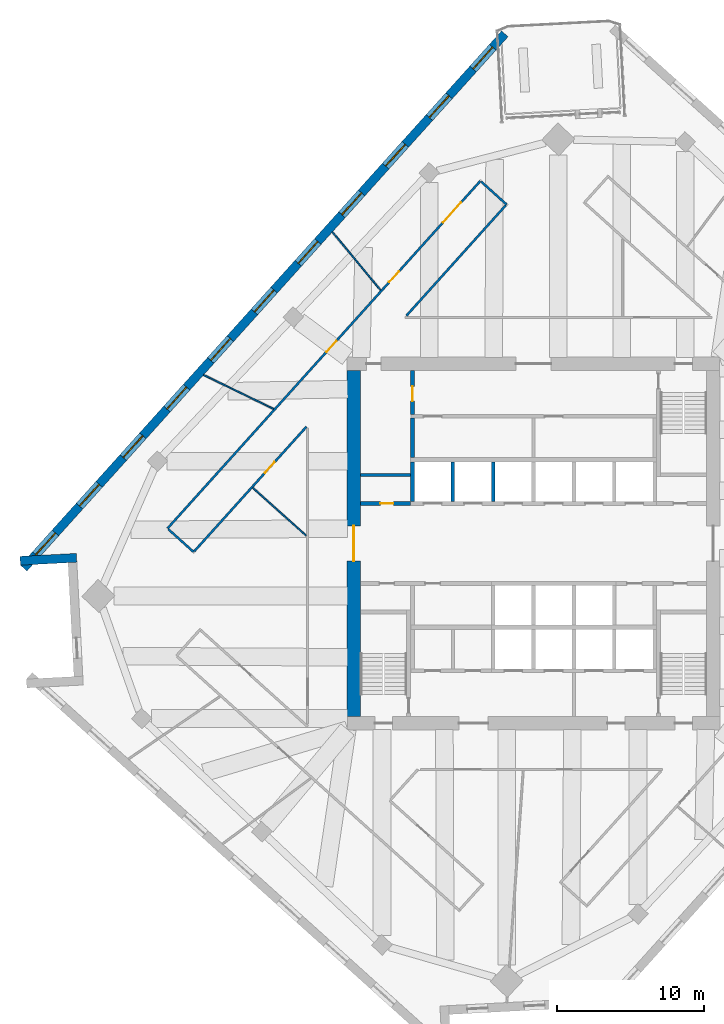
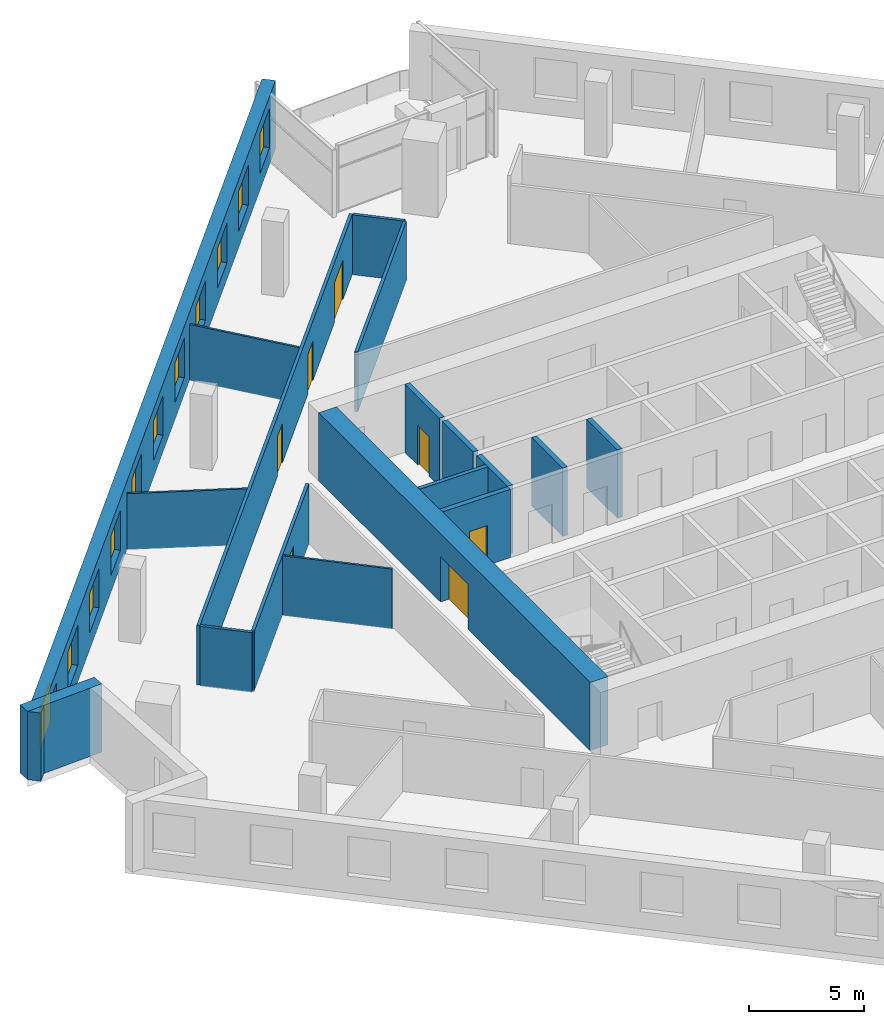
# One storey, part 8 of 12: 18 walls, 11 windows, 7 doors, 18 openings.
"""IFC4 building model written with IfcOpenShell, lengths in metres."""

from ifc_helpers import new_model, si_unit, direction, frame, frame_2d, origin, place, context, subcontext, project, spatial, rectangle, extrude, material, layer, layer_set, type_object, element, fill, save


model = new_model("IFC4")

# Units and contexts
model_context = context("Model", 3, precision=1e-05, world=origin(), true_north=direction((0.0, 1.0)))
body_context = subcontext(model_context, "Body", "Model", "MODEL_VIEW")
ifc_project = project(units=[si_unit("LENGTHUNIT", "METRE"), si_unit("AREAUNIT", "SQUARE_METRE"), si_unit("VOLUMEUNIT", "CUBIC_METRE"), si_unit("PLANEANGLEUNIT", "RADIAN"), si_unit("MASSUNIT", "GRAM", prefix="KILO")], contexts=[model_context])

# Site, building, storey
site_placement = place(None, origin())
site = spatial("IfcSite", under=ifc_project, at=site_placement, CompositionType="ELEMENT")
building_placement = place(site_placement, origin())
building = spatial("IfcBuilding", under=site, at=building_placement, Name="Dilmun Exchange Tower", CompositionType="ELEMENT")
storey_placement = place(building_placement, frame((0.0, 0.0, 221.300048828125)))
storey = spatial("IfcBuildingStorey", under=building, at=storey_placement, Name="L52", CompositionType="ELEMENT", Elevation=221.300048828125)

# Wall
ifc_material_1 = material(Name="Concrete C40/50", Category="concrete")
ifc_layer_1 = layer(ifc_material_1, 0.199951171875)
ifc_layer_set_1 = layer_set([ifc_layer_1], Name="Concrete C40/50")
wall_type_1 = type_object("IfcWallType", Name="Core partition wall 200", PredefinedType="PARTITIONING", material=ifc_layer_set_1)
wall_1_placement = place(storey_placement, frame((-11.794921875, 4.675048828125, 0.0), z_axis=(0.0, 0.0, 1.0), x_axis=(1.0, 0.0, 0.0)))
element("IfcWall", 1, at=wall_1_placement, inside=storey, type_object=wall_type_1, Name="L52 core partition wall 12", PredefinedType="PARTITIONING", context=body_context, shape_type="SweptSolid", body=[
    extrude(rectangle(XDim=3.4150390625, YDim=0.199951171875, at=frame_2d((1.70751953125, 0.0))), origin(), (0.0, 0.0, 1.0), 3.619873046875),
])

# Wall, opening, door
ifc_layer_2 = layer(ifc_material_1, 0.25)
ifc_layer_set_2 = layer_set([ifc_layer_2], Name="Concrete C40/50")
wall_type_2 = type_object("IfcWallType", Name="Core partition wall 250", PredefinedType="PARTITIONING", material=ifc_layer_set_2)
wall_2_placement = place(storey_placement, frame((-11.794921875, 2.72509765625, 0.0), z_axis=(0.0, 0.0, 1.0), x_axis=(1.0, 0.0, 0.0)))
wall_2 = element("IfcWall", 2, at=wall_2_placement, inside=storey, type_object=wall_type_2, Name="L52 core partition wall 10", PredefinedType="PARTITIONING", context=body_context, shape_type="SweptSolid", body=[
    extrude(rectangle(XDim=3.4150390625, YDim=0.25, at=frame_2d((1.70751953125, 0.0))), origin(), (0.0, 0.0, 1.0), 3.619873046875),
])
opening_1_placement = place(wall_2_placement, frame((1.344970703125, 0.0, 0.0)))
opening_1 = element("IfcOpeningElement", 3, at=opening_1_placement, cuts=wall_2, Name="Opening CD6", PredefinedType="OPENING", context=body_context, shape_type="SweptSolid", body=[
    extrude(rectangle(XDim=0.89990234375, YDim=2.10009765625, at=frame_2d((0.449951171875, 1.050048828125))), frame((0.0, 0.135009765625, 0.0), z_axis=(0.0, -1.0, 0.0), x_axis=(1.0, 0.0, 0.0)), (0.0, 0.0, 1.0), 0.27001953125),
])
ifc_material_2 = material(Name="Fire-rated steel door set", Category="steel")
door_type_1 = type_object("IfcDoorType", Name="Core room door 900x2100", OperationType="SINGLE_SWING_LEFT", PredefinedType="DOOR", material=ifc_material_2)
door_1_placement = place(opening_1_placement, origin())
door_1 = element("IfcDoor", 4, at=door_1_placement, inside=storey, type_object=door_type_1, Name="L52 door Plumbing riser", OperationType="SINGLE_SWING_LEFT", OverallHeight=2.10009765625, OverallWidth=0.89990234375, PredefinedType="DOOR", context=body_context, shape_type="SweptSolid", body=[
    extrude(rectangle(XDim=0.89990234375, YDim=2.10009765625, at=frame_2d((0.449951171875, 1.050048828125))), frame((0.0, 0.02490234375, 0.0), z_axis=(0.0, -1.0, 0.0), x_axis=(1.0, 0.0, 0.0)), (0.0, 0.0, 1.0), 0.050048828125),
])
fill(opening_1, door_1)

# Wall
wall_3_placement = place(storey_placement, frame((-8.25, 5.85498046875, 0.0), z_axis=(0.0, 0.0, 1.0), x_axis=(0.0, 1.0, 0.0)))
element("IfcWall", 5, at=wall_3_placement, inside=storey, type_object=wall_type_2, Name="L52 core partition wall 13", PredefinedType="PARTITIONING", context=body_context, shape_type="SweptSolid", body=[
    extrude(rectangle(XDim=2.68994140625, YDim=0.25, at=frame_2d((1.344970703125, 0.0))), origin(), (0.0, 0.0, 1.0), 3.619873046875),
])

# Wall, opening, door
wall_4_placement = place(storey_placement, frame((-8.25, 8.804931640625, 0.0), z_axis=(0.0, 0.0, 1.0), x_axis=(0.0, 1.0, 0.0)))
wall_4 = element("IfcWall", 6, at=wall_4_placement, inside=storey, type_object=wall_type_2, Name="L52 core partition wall 17", PredefinedType="PARTITIONING", context=body_context, shape_type="SweptSolid", body=[
    extrude(rectangle(XDim=2.989990234375, YDim=0.25, at=frame_2d((1.4951171875, 0.0))), origin(), (0.0, 0.0, 1.0), 3.619873046875),
])
opening_2_placement = place(wall_4_placement, frame((0.89501953125, 0.0, 0.0)))
opening_2 = element("IfcOpeningElement", 7, at=opening_2_placement, cuts=wall_4, Name="Opening CD4", PredefinedType="OPENING", context=body_context, shape_type="SweptSolid", body=[
    extrude(rectangle(XDim=1.0, YDim=2.10009765625, at=frame_2d((0.5, 1.050048828125))), frame((0.0, 0.135009765625, 0.0), z_axis=(0.0, -1.0, 0.0), x_axis=(1.0, 0.0, 0.0)), (0.0, 0.0, 1.0), 0.27001953125),
])
door_type_2 = type_object("IfcDoorType", Name="Core room door 1000x2100", OperationType="SINGLE_SWING_LEFT", PredefinedType="DOOR", material=ifc_material_2)
door_2_placement = place(opening_2_placement, origin())
door_2 = element("IfcDoor", 8, at=door_2_placement, inside=storey, type_object=door_type_2, Name="L52 door Building services room", OperationType="SINGLE_SWING_LEFT", OverallHeight=2.10009765625, OverallWidth=1.0, PredefinedType="DOOR", context=body_context, shape_type="SweptSolid", body=[
    extrude(rectangle(XDim=1.0, YDim=2.10009765625, at=frame_2d((0.5, 1.050048828125))), frame((0.0, 0.02490234375, 0.0), z_axis=(0.0, -1.0, 0.0), x_axis=(1.0, 0.0, 0.0)), (0.0, 0.0, 1.0), 0.050048828125),
])
fill(opening_2, door_2)

ifc_material_3 = material(Name="Concrete C60/75", Category="concrete")
ifc_layer_3 = layer(ifc_material_3, 0.89990234375)
ifc_layer_set_3 = layer_set([ifc_layer_3], Name="Concrete C60/75")
wall_type_3 = type_object("IfcWallType", Name="Core shear wall 900 Concrete C60/75", PredefinedType="SHEAR", material=ifc_layer_set_3)
wall_5_placement = place(storey_placement, frame((-12.25, -11.800048828125, 0.0), z_axis=(0.0, 0.0, 1.0), x_axis=(0.0, 1.0, 0.0)))
wall_5 = element("IfcWall", 9, at=wall_5_placement, inside=storey, type_object=wall_type_3, Name="L52 core shear wall W", PredefinedType="SHEAR", context=body_context, shape_type="SweptSolid", body=[
    extrude(rectangle(XDim=23.60009765625, YDim=0.89990234375, at=frame_2d((11.800048828125, 0.0))), origin(), (0.0, 0.0, 1.0), 3.619873046875),
])
opening_3_placement = place(wall_5_placement, frame((10.60009765625, 0.0, 0.0)))
opening_3 = element("IfcOpeningElement", 10, at=opening_3_placement, cuts=wall_5, Name="Opening CD1", PredefinedType="OPENING", context=body_context, shape_type="SweptSolid", body=[
    extrude(rectangle(XDim=2.39990234375, YDim=2.39990234375, at=frame_2d((1.199951171875, 1.199951171875))), frame((0.0, 0.4599609375, 0.0), z_axis=(0.0, -1.0, 0.0), x_axis=(1.0, 0.0, 0.0)), (0.0, 0.0, 1.0), 0.919921875),
])
door_type_3 = type_object("IfcDoorType", Name="Core lobby door 2400x2400", OperationType="DOUBLE_DOOR_DOUBLE_SWING", PredefinedType="DOOR", material=ifc_material_2)
door_3_placement = place(opening_3_placement, origin())
door_3 = element("IfcDoor", 11, at=door_3_placement, inside=storey, type_object=door_type_3, Name="L52 door Central lift lobby", OperationType="SINGLE_SWING_LEFT", OverallHeight=2.39990234375, OverallWidth=2.39990234375, PredefinedType="DOOR", context=body_context, shape_type="SweptSolid", body=[
    extrude(rectangle(XDim=2.39990234375, YDim=2.39990234375, at=frame_2d((1.199951171875, 1.199951171875))), frame((0.0, 0.02490234375, 0.0), z_axis=(0.0, -1.0, 0.0), x_axis=(1.0, 0.0, 0.0)), (0.0, 0.0, 1.0), 0.050048828125),
])
fill(opening_3, door_3)

# Wall, openings, doors
ifc_material_4 = material(Name="Corridor wall 150")
ifc_layer_4 = layer(ifc_material_4, 0.14990234375)
ifc_layer_set_4 = layer_set([ifc_layer_4], Name="Corridor wall 150")
wall_type_4 = type_object("IfcWallType", Name="Corridor wall 150", PredefinedType="PARTITIONING", material=ifc_layer_set_4)
wall_6_placement = place(storey_placement, frame((-24.951904296875, 1.02392578125, 0.0), z_axis=(0.0, 0.0, 1.0), x_axis=(0.66912723064, 0.743147864974, 0.0)))
wall_6 = element("IfcWall", 12, at=wall_6_placement, inside=storey, type_object=wall_type_4, Name="Corridor wall", PredefinedType="PARTITIONING", context=body_context, shape_type="SweptSolid", body=[
    extrude(rectangle(XDim=31.871337890625, YDim=0.14990234375, at=frame_2d((15.935546875, 0.0))), origin(), (0.0, 0.0, 1.0), 3.169921875),
])
opening_4_placement = place(wall_6_placement, frame((16.20166015625, 0.0, 0.0)))
opening_4 = element("IfcOpeningElement", 13, at=opening_4_placement, cuts=wall_6, Name="Opening TF51-D05", PredefinedType="OPENING", context=body_context, shape_type="SweptSolid", body=[
    extrude(rectangle(XDim=1.0, YDim=2.10009765625, at=frame_2d((0.5, 1.050048828125))), frame((0.0, 0.0849609375, 0.0), z_axis=(0.0, -1.0, 0.0), x_axis=(1.0, 0.0, 0.0)), (0.0, 0.0, 1.0), 0.169921875),
])
opening_5_placement = place(wall_6_placement, frame((28.080322265625, 0.0, 0.0)))
opening_5 = element("IfcOpeningElement", 14, at=opening_5_placement, cuts=wall_6, Name="Opening TF51-D08", PredefinedType="OPENING", context=body_context, shape_type="SweptSolid", body=[
    extrude(rectangle(XDim=1.800048828125, YDim=2.10009765625, at=frame_2d((0.89990234375, 1.050048828125))), frame((0.0, 0.0849609375, 0.0), z_axis=(0.0, -1.0, 0.0), x_axis=(1.0, 0.0, 0.0)), (0.0, 0.0, 1.0), 0.169921875),
])
opening_6_placement = place(wall_6_placement, frame((22.580322265625, 0.0, 0.0)))
opening_6 = element("IfcOpeningElement", 15, at=opening_6_placement, cuts=wall_6, Name="Opening TF51-D09", PredefinedType="OPENING", context=body_context, shape_type="SweptSolid", body=[
    extrude(rectangle(XDim=1.0, YDim=2.10009765625, at=frame_2d((0.5, 1.050048828125))), frame((0.0, 0.0849609375, 0.0), z_axis=(0.0, -1.0, 0.0), x_axis=(1.0, 0.0, 0.0)), (0.0, 0.0, 1.0), 0.169921875),
])
ifc_material_5 = material(Name="Fire door 1000 x 2100")
door_type_4 = type_object("IfcDoorType", Name="Fire door 1000 x 2100", OperationType="NOTDEFINED", PredefinedType="DOOR", material=ifc_material_5)
door_4_placement = place(opening_4_placement, origin())
door_4 = element("IfcDoor", 16, at=door_4_placement, inside=storey, type_object=door_type_4, Name="Door TF51-D05", OperationType="SINGLE_SWING_RIGHT", OverallHeight=2.10009765625, OverallWidth=1.0, PredefinedType="DOOR", context=body_context, shape_type="SweptSolid", body=[
    extrude(rectangle(XDim=1.0, YDim=2.10009765625, at=frame_2d((0.5, 1.050048828125))), frame((0.0, 0.02490234375, 0.0), z_axis=(0.0, -1.0, 0.0), x_axis=(1.0, 0.0, 0.0)), (0.0, 0.0, 1.0), 0.050048828125),
])
fill(opening_4, door_4)
door_5_placement = place(opening_6_placement, origin())
door_5 = element("IfcDoor", 17, at=door_5_placement, inside=storey, type_object=door_type_4, Name="Door TF51-D09", OperationType="SINGLE_SWING_RIGHT", OverallHeight=2.10009765625, OverallWidth=1.0, PredefinedType="DOOR", context=body_context, shape_type="SweptSolid", body=[
    extrude(rectangle(XDim=1.0, YDim=2.10009765625, at=frame_2d((0.5, 1.050048828125))), frame((0.0, 0.02490234375, 0.0), z_axis=(0.0, -1.0, 0.0), x_axis=(1.0, 0.0, 0.0)), (0.0, 0.0, 1.0), 0.050048828125),
])
fill(opening_6, door_5)
ifc_material_6 = material(Name="Fire door pair 1800 x 2100")
door_type_5 = type_object("IfcDoorType", Name="Fire door pair 1800 x 2100", OperationType="NOTDEFINED", PredefinedType="DOOR", material=ifc_material_6)
door_6_placement = place(opening_5_placement, origin())
door_6 = element("IfcDoor", 18, at=door_6_placement, inside=storey, type_object=door_type_5, Name="Door TF51-D08", OperationType="DOUBLE_DOOR_SINGLE_SWING", OverallHeight=2.10009765625, OverallWidth=1.800048828125, PredefinedType="DOOR", context=body_context, shape_type="SweptSolid", body=[
    extrude(rectangle(XDim=1.800048828125, YDim=2.10009765625, at=frame_2d((0.89990234375, 1.050048828125))), frame((0.0, 0.02490234375, 0.0), z_axis=(0.0, -1.0, 0.0), x_axis=(1.0, 0.0, 0.0)), (0.0, 0.0, 1.0), 0.050048828125),
])
fill(opening_5, door_6)

# Wall
wall_7_placement = place(storey_placement, frame((-24.896240234375, 0.973876953125, 0.0), z_axis=(0.0, 0.0, 1.0), x_axis=(0.743006872073, -0.669283787381, 0.0)))
element("IfcWall", 19, at=wall_7_placement, inside=storey, type_object=wall_type_4, Name="Corridor wall", PredefinedType="PARTITIONING", context=body_context, shape_type="SweptSolid", body=[
    extrude(rectangle(XDim=2.32470703125, YDim=0.14990234375, at=frame_2d((1.162353515625, 0.0))), origin(), (0.0, 0.0, 1.0), 3.169921875),
])

# Wall, opening, door
wall_8_placement = place(storey_placement, frame((-23.118896484375, -0.5263671875, 0.0), z_axis=(0.0, 0.0, 1.0), x_axis=(0.669146693107, 0.743130340589, 0.0)))
wall_8 = element("IfcWall", 20, at=wall_8_placement, inside=storey, type_object=wall_type_4, Name="Corridor wall", PredefinedType="PARTITIONING", context=body_context, shape_type="SweptSolid", body=[
    extrude(rectangle(XDim=11.41455078125, YDim=0.14990234375, at=frame_2d((5.707275390625, 0.0))), origin(), (0.0, 0.0, 1.0), 3.169921875),
])
opening_7_placement = place(wall_8_placement, frame((7.178466796875, 0.0, 0.0)))
opening_7 = element("IfcOpeningElement", 21, at=opening_7_placement, cuts=wall_8, Name="Opening TF51-D04", PredefinedType="OPENING", context=body_context, shape_type="SweptSolid", body=[
    extrude(rectangle(XDim=1.0, YDim=2.10009765625, at=frame_2d((0.5, 1.050048828125))), frame((0.0, 0.0849609375, 0.0), z_axis=(0.0, -1.0, 0.0), x_axis=(1.0, 0.0, 0.0)), (0.0, 0.0, 1.0), 0.169921875),
])
door_7_placement = place(opening_7_placement, frame((1.0, 0.0, 0.0), z_axis=(0.0, 0.0, 1.0), x_axis=(-1.0, 0.0, 0.0)))
door_7 = element("IfcDoor", 22, at=door_7_placement, inside=storey, type_object=door_type_4, Name="Door TF51-D04", OperationType="SINGLE_SWING_RIGHT", OverallHeight=2.10009765625, OverallWidth=1.0, PredefinedType="DOOR", context=body_context, shape_type="SweptSolid", body=[
    extrude(rectangle(XDim=1.0, YDim=2.10009765625, at=frame_2d((0.5, 1.050048828125))), frame((0.0, 0.02490234375, 0.0), z_axis=(0.0, -1.0, 0.0), x_axis=(1.0, 0.0, 0.0)), (0.0, 0.0, 1.0), 0.050048828125),
])
fill(opening_7, door_7)

# Walls
wall_9_placement = place(storey_placement, frame((-8.665283203125, 15.525146484375, 0.0), z_axis=(0.0, 0.0, 1.0), x_axis=(0.669084664521, 0.743186189123, 0.0)))
element("IfcWall", 23, at=wall_9_placement, inside=storey, type_object=wall_type_4, Name="Corridor wall", PredefinedType="PARTITIONING", context=body_context, shape_type="SweptSolid", body=[
    extrude(rectangle(XDim=10.121337890625, YDim=0.14990234375, at=frame_2d((5.060546875, 0.0))), origin(), (0.0, 0.0, 1.0), 3.169921875),
])
wall_10_placement = place(storey_placement, frame((-3.5703125, 24.65869140625, 0.0), z_axis=(0.0, 0.0, 1.0), x_axis=(0.743059097408, -0.669225804761, 0.0)))
element("IfcWall", 24, at=wall_10_placement, inside=storey, type_object=wall_type_4, Name="Corridor wall", PredefinedType="PARTITIONING", context=body_context, shape_type="SweptSolid", body=[
    extrude(rectangle(XDim=2.324462890625, YDim=0.14990234375, at=frame_2d((1.162109375, 0.0))), origin(), (0.0, 0.0, 1.0), 3.169921875),
])
ifc_layer_5 = layer(ifc_material_1, 0.25)
ifc_layer_set_5 = layer_set([ifc_layer_5], Name="Concrete C40/50")
wall_type_5 = type_object("IfcWallType", Name="Lift shaft wall 250", PredefinedType="SOLIDWALL", material=ifc_layer_set_5)
for number, where, z_axis, x_axis, name in (
    (25, (-8.25, 2.85009765625, 0.0), (0.0, 0.0, 1.0), (0.0, 1.0, 0.0), "L52 lift shaft divider N10"),
    (26, (-5.5, 2.85009765625, 0.0), (0.0, 0.0, 1.0), (0.0, 1.0, 0.0), "L52 lift shaft divider N11"),
    (27, (-2.75, 2.85009765625, 0.0), (0.0, 0.0, 1.0), (0.0, 1.0, 0.0), "L52 lift shaft divider N12"),
):
    element("IfcWall", number, at=place(storey_placement, frame(where, z_axis=z_axis, x_axis=x_axis)), inside=storey, type_object=wall_type_5, Name=name, PredefinedType="SOLIDWALL", context=body_context, shape_type="SweptSolid", body=[
        extrude(rectangle(XDim=2.699951171875, YDim=0.25, at=frame_2d((1.35009765625, 0.0))), origin(), (0.0, 0.0, 1.0), 3.619873046875),
    ])
ifc_material_7 = material(Name="Partition 100")
ifc_layer_6 = layer(ifc_material_7, 0.10009765625)
ifc_layer_set_6 = layer_set([ifc_layer_6], Name="Partition 100")
wall_type_6 = type_object("IfcWallType", Name="Partition 100", PredefinedType="PARTITIONING", material=ifc_layer_set_6)
wall_11_placement = place(storey_placement, frame((-22.488525390625, 11.486083984375, 0.0), z_axis=(0.0, 0.0, 1.0), x_axis=(0.899358272064, -0.437212418019, 0.0)))
element("IfcWall", 28, at=wall_11_placement, inside=storey, type_object=wall_type_6, Name="Partition", PredefinedType="PARTITIONING", context=body_context, shape_type="SweptSolid", body=[
    extrude(rectangle(XDim=5.28759765625, YDim=0.10009765625, at=frame_2d((2.643798828125, 0.0))), origin(), (0.0, 0.0, 1.0), 2.969970703125),
])
wall_12_placement = place(storey_placement, frame((-19.12939453125, 3.791748046875, 0.0), z_axis=(0.0, 0.0, 1.0), x_axis=(0.74316706076, -0.66910591075, 0.0)))
element("IfcWall", 29, at=wall_12_placement, inside=storey, type_object=wall_type_6, Name="Partition", PredefinedType="PARTITIONING", context=body_context, shape_type="SweptSolid", body=[
    extrude(rectangle(XDim=4.8720703125, YDim=0.10009765625, at=frame_2d((2.43603515625, 0.0))), origin(), (0.0, 0.0, 1.0), 3.169921875),
])
wall_13_placement = place(storey_placement, frame((-13.71728515625, 21.2275390625, 0.0), z_axis=(0.0, 0.0, 1.0), x_axis=(0.639202955897, -0.769038088246, 0.0)))
element("IfcWall", 30, at=wall_13_placement, inside=storey, type_object=wall_type_6, Name="Partition", PredefinedType="PARTITIONING", context=body_context, shape_type="SweptSolid", body=[
    extrude(rectangle(XDim=5.140869140625, YDim=0.10009765625, at=frame_2d((2.5703125, 0.0))), origin(), (0.0, 0.0, 1.0), 2.969970703125),
])

# Wall, openings, windows
ifc_material_8 = material(Name="Precast concrete C50/60", Category="concrete")
ifc_layer_7 = layer(ifc_material_8, 0.60009765625)
ifc_layer_set_7 = layer_set([ifc_layer_7], Name="Precast concrete C50/60")
wall_type_7 = type_object("IfcWallType", Name="Precast stone-clad wall 600", PredefinedType="STANDARD", material=ifc_layer_set_7)
wall_14_placement = place(storey_placement, frame((-1.9619140625, 34.734619140625, 0.0), z_axis=(0.0, 0.0, 1.0), x_axis=(-0.669133181838, -0.743142506497, 0.0)))
wall_14 = element("IfcWall", 31, at=wall_14_placement, inside=storey, type_object=wall_type_7, Name="Facade wall L52-03", PredefinedType="STANDARD", context=body_context, shape_type="SweptSolid", body=[
    extrude(rectangle(XDim=49.0, YDim=0.60009765625, at=frame_2d((24.5, 0.0))), origin(), (0.0, 0.0, 1.0), 3.619873046875),
])
opening_8_placement = place(wall_14_placement, frame((1.227294921875, 0.0, 0.89990234375)))
opening_8 = element("IfcOpeningElement", 32, at=opening_8_placement, cuts=wall_14, Name="Opening W200-210", PredefinedType="OPENING", context=body_context, shape_type="SweptSolid", body=[
    extrude(rectangle(XDim=2.0, YDim=2.10009765625, at=frame_2d((1.0, 1.050048828125))), frame((0.0, 0.31005859375, 0.0), z_axis=(0.0, -1.0, 0.0), x_axis=(1.0, 0.0, 0.0)), (0.0, 0.0, 1.0), 0.6201171875),
])
opening_9_placement = place(wall_14_placement, frame((5.681884765625, 0.0, 0.89990234375)))
opening_9 = element("IfcOpeningElement", 33, at=opening_9_placement, cuts=wall_14, Name="Opening W200-210", PredefinedType="OPENING", context=body_context, shape_type="SweptSolid", body=[
    extrude(rectangle(XDim=2.0, YDim=2.10009765625, at=frame_2d((1.0, 1.050048828125))), frame((0.0, 0.31005859375, 0.0), z_axis=(0.0, -1.0, 0.0), x_axis=(1.0, 0.0, 0.0)), (0.0, 0.0, 1.0), 0.6201171875),
])
opening_10_placement = place(wall_14_placement, frame((10.136474609375, 0.0, 0.89990234375)))
opening_10 = element("IfcOpeningElement", 34, at=opening_10_placement, cuts=wall_14, Name="Opening W200-210", PredefinedType="OPENING", context=body_context, shape_type="SweptSolid", body=[
    extrude(rectangle(XDim=2.0, YDim=2.10009765625, at=frame_2d((1.0, 1.050048828125))), frame((0.0, 0.31005859375, 0.0), z_axis=(0.0, -1.0, 0.0), x_axis=(1.0, 0.0, 0.0)), (0.0, 0.0, 1.0), 0.6201171875),
])
opening_11_placement = place(wall_14_placement, frame((14.5908203125, 0.0, 0.89990234375)))
opening_11 = element("IfcOpeningElement", 35, at=opening_11_placement, cuts=wall_14, Name="Opening W200-210", PredefinedType="OPENING", context=body_context, shape_type="SweptSolid", body=[
    extrude(rectangle(XDim=2.0, YDim=2.10009765625, at=frame_2d((1.0, 1.050048828125))), frame((0.0, 0.31005859375, 0.0), z_axis=(0.0, -1.0, 0.0), x_axis=(1.0, 0.0, 0.0)), (0.0, 0.0, 1.0), 0.6201171875),
])
opening_12_placement = place(wall_14_placement, frame((19.04541015625, 0.0, 0.89990234375)))
opening_12 = element("IfcOpeningElement", 36, at=opening_12_placement, cuts=wall_14, Name="Opening W200-210", PredefinedType="OPENING", context=body_context, shape_type="SweptSolid", body=[
    extrude(rectangle(XDim=2.0, YDim=2.10009765625, at=frame_2d((1.0, 1.050048828125))), frame((0.0, 0.31005859375, 0.0), z_axis=(0.0, -1.0, 0.0), x_axis=(1.0, 0.0, 0.0)), (0.0, 0.0, 1.0), 0.6201171875),
])
opening_13_placement = place(wall_14_placement, frame((23.5, 0.0, 0.89990234375)))
opening_13 = element("IfcOpeningElement", 37, at=opening_13_placement, cuts=wall_14, Name="Opening W200-210", PredefinedType="OPENING", context=body_context, shape_type="SweptSolid", body=[
    extrude(rectangle(XDim=2.0, YDim=2.10009765625, at=frame_2d((1.0, 1.050048828125))), frame((0.0, 0.31005859375, 0.0), z_axis=(0.0, -1.0, 0.0), x_axis=(1.0, 0.0, 0.0)), (0.0, 0.0, 1.0), 0.6201171875),
])
opening_14_placement = place(wall_14_placement, frame((27.95458984375, 0.0, 0.89990234375)))
opening_14 = element("IfcOpeningElement", 38, at=opening_14_placement, cuts=wall_14, Name="Opening W200-210", PredefinedType="OPENING", context=body_context, shape_type="SweptSolid", body=[
    extrude(rectangle(XDim=2.0, YDim=2.10009765625, at=frame_2d((1.0, 1.050048828125))), frame((0.0, 0.31005859375, 0.0), z_axis=(0.0, -1.0, 0.0), x_axis=(1.0, 0.0, 0.0)), (0.0, 0.0, 1.0), 0.6201171875),
])
opening_15_placement = place(wall_14_placement, frame((32.4091796875, 0.0, 0.89990234375)))
opening_15 = element("IfcOpeningElement", 39, at=opening_15_placement, cuts=wall_14, Name="Opening W200-210", PredefinedType="OPENING", context=body_context, shape_type="SweptSolid", body=[
    extrude(rectangle(XDim=2.0, YDim=2.10009765625, at=frame_2d((1.0, 1.050048828125))), frame((0.0, 0.31005859375, 0.0), z_axis=(0.0, -1.0, 0.0), x_axis=(1.0, 0.0, 0.0)), (0.0, 0.0, 1.0), 0.6201171875),
])
opening_16_placement = place(wall_14_placement, frame((36.863525390625, 0.0, 0.89990234375)))
opening_16 = element("IfcOpeningElement", 40, at=opening_16_placement, cuts=wall_14, Name="Opening W200-210", PredefinedType="OPENING", context=body_context, shape_type="SweptSolid", body=[
    extrude(rectangle(XDim=2.0, YDim=2.10009765625, at=frame_2d((1.0, 1.050048828125))), frame((0.0, 0.31005859375, 0.0), z_axis=(0.0, -1.0, 0.0), x_axis=(1.0, 0.0, 0.0)), (0.0, 0.0, 1.0), 0.6201171875),
])
opening_17_placement = place(wall_14_placement, frame((41.318115234375, 0.0, 0.89990234375)))
opening_17 = element("IfcOpeningElement", 41, at=opening_17_placement, cuts=wall_14, Name="Opening W200-210", PredefinedType="OPENING", context=body_context, shape_type="SweptSolid", body=[
    extrude(rectangle(XDim=2.0, YDim=2.10009765625, at=frame_2d((1.0, 1.050048828125))), frame((0.0, 0.31005859375, 0.0), z_axis=(0.0, -1.0, 0.0), x_axis=(1.0, 0.0, 0.0)), (0.0, 0.0, 1.0), 0.6201171875),
])
opening_18_placement = place(wall_14_placement, frame((45.772705078125, 0.0, 0.89990234375)))
opening_18 = element("IfcOpeningElement", 42, at=opening_18_placement, cuts=wall_14, Name="Opening W200-210", PredefinedType="OPENING", context=body_context, shape_type="SweptSolid", body=[
    extrude(rectangle(XDim=2.0, YDim=2.10009765625, at=frame_2d((1.0, 1.050048828125))), frame((0.0, 0.31005859375, 0.0), z_axis=(0.0, -1.0, 0.0), x_axis=(1.0, 0.0, 0.0)), (0.0, 0.0, 1.0), 0.6201171875),
])
ifc_material_9 = material(Name="Clear low-emissivity glass in aluminium frame", Category="aluminium")
window_type = type_object("IfcWindowType", Name="Punched window 2000 x 2100", PartitioningType="DOUBLE_PANEL_VERTICAL", PredefinedType="WINDOW", material=ifc_material_9)
window_1_placement = place(opening_8_placement, origin())
window_1 = element("IfcWindow", 43, at=window_1_placement, inside=storey, type_object=window_type, Name="Window 4.1", OverallHeight=2.10009765625, OverallWidth=2.0, PartitioningType="SINGLE_PANEL", PredefinedType="WINDOW", context=body_context, shape_type="SweptSolid", body=[
    extrude(rectangle(XDim=2.0, YDim=2.10009765625, at=frame_2d((1.0, 1.050048828125))), frame((0.0, 0.030029296875, 0.0), z_axis=(0.0, -1.0, 0.0), x_axis=(1.0, 0.0, 0.0)), (0.0, 0.0, 1.0), 0.06005859375),
])
fill(opening_8, window_1)
window_2_placement = place(opening_9_placement, origin())
window_2 = element("IfcWindow", 44, at=window_2_placement, inside=storey, type_object=window_type, Name="Window 4.2", OverallHeight=2.10009765625, OverallWidth=2.0, PartitioningType="SINGLE_PANEL", PredefinedType="WINDOW", context=body_context, shape_type="SweptSolid", body=[
    extrude(rectangle(XDim=2.0, YDim=2.10009765625, at=frame_2d((1.0, 1.050048828125))), frame((0.0, 0.030029296875, 0.0), z_axis=(0.0, -1.0, 0.0), x_axis=(1.0, 0.0, 0.0)), (0.0, 0.0, 1.0), 0.06005859375),
])
fill(opening_9, window_2)
window_3_placement = place(opening_10_placement, origin())
window_3 = element("IfcWindow", 45, at=window_3_placement, inside=storey, type_object=window_type, Name="Window 4.3", OverallHeight=2.10009765625, OverallWidth=2.0, PartitioningType="SINGLE_PANEL", PredefinedType="WINDOW", context=body_context, shape_type="SweptSolid", body=[
    extrude(rectangle(XDim=2.0, YDim=2.10009765625, at=frame_2d((1.0, 1.050048828125))), frame((0.0, 0.030029296875, 0.0), z_axis=(0.0, -1.0, 0.0), x_axis=(1.0, 0.0, 0.0)), (0.0, 0.0, 1.0), 0.06005859375),
])
fill(opening_10, window_3)
window_4_placement = place(opening_11_placement, origin())
window_4 = element("IfcWindow", 46, at=window_4_placement, inside=storey, type_object=window_type, Name="Window 4.4", OverallHeight=2.10009765625, OverallWidth=2.0, PartitioningType="SINGLE_PANEL", PredefinedType="WINDOW", context=body_context, shape_type="SweptSolid", body=[
    extrude(rectangle(XDim=2.0, YDim=2.10009765625, at=frame_2d((1.0, 1.050048828125))), frame((0.0, 0.030029296875, 0.0), z_axis=(0.0, -1.0, 0.0), x_axis=(1.0, 0.0, 0.0)), (0.0, 0.0, 1.0), 0.06005859375),
])
fill(opening_11, window_4)
window_5_placement = place(opening_12_placement, origin())
window_5 = element("IfcWindow", 47, at=window_5_placement, inside=storey, type_object=window_type, Name="Window 4.5", OverallHeight=2.10009765625, OverallWidth=2.0, PartitioningType="SINGLE_PANEL", PredefinedType="WINDOW", context=body_context, shape_type="SweptSolid", body=[
    extrude(rectangle(XDim=2.0, YDim=2.10009765625, at=frame_2d((1.0, 1.050048828125))), frame((0.0, 0.030029296875, 0.0), z_axis=(0.0, -1.0, 0.0), x_axis=(1.0, 0.0, 0.0)), (0.0, 0.0, 1.0), 0.06005859375),
])
fill(opening_12, window_5)
window_6_placement = place(opening_13_placement, origin())
window_6 = element("IfcWindow", 48, at=window_6_placement, inside=storey, type_object=window_type, Name="Window 4.6", OverallHeight=2.10009765625, OverallWidth=2.0, PartitioningType="SINGLE_PANEL", PredefinedType="WINDOW", context=body_context, shape_type="SweptSolid", body=[
    extrude(rectangle(XDim=2.0, YDim=2.10009765625, at=frame_2d((1.0, 1.050048828125))), frame((0.0, 0.030029296875, 0.0), z_axis=(0.0, -1.0, 0.0), x_axis=(1.0, 0.0, 0.0)), (0.0, 0.0, 1.0), 0.06005859375),
])
fill(opening_13, window_6)
window_7_placement = place(opening_14_placement, origin())
window_7 = element("IfcWindow", 49, at=window_7_placement, inside=storey, type_object=window_type, Name="Window 4.7", OverallHeight=2.10009765625, OverallWidth=2.0, PartitioningType="SINGLE_PANEL", PredefinedType="WINDOW", context=body_context, shape_type="SweptSolid", body=[
    extrude(rectangle(XDim=2.0, YDim=2.10009765625, at=frame_2d((1.0, 1.050048828125))), frame((0.0, 0.030029296875, 0.0), z_axis=(0.0, -1.0, 0.0), x_axis=(1.0, 0.0, 0.0)), (0.0, 0.0, 1.0), 0.06005859375),
])
fill(opening_14, window_7)
window_8_placement = place(opening_15_placement, origin())
window_8 = element("IfcWindow", 50, at=window_8_placement, inside=storey, type_object=window_type, Name="Window 4.8", OverallHeight=2.10009765625, OverallWidth=2.0, PartitioningType="SINGLE_PANEL", PredefinedType="WINDOW", context=body_context, shape_type="SweptSolid", body=[
    extrude(rectangle(XDim=2.0, YDim=2.10009765625, at=frame_2d((1.0, 1.050048828125))), frame((0.0, 0.030029296875, 0.0), z_axis=(0.0, -1.0, 0.0), x_axis=(1.0, 0.0, 0.0)), (0.0, 0.0, 1.0), 0.06005859375),
])
fill(opening_15, window_8)
window_9_placement = place(opening_16_placement, origin())
window_9 = element("IfcWindow", 51, at=window_9_placement, inside=storey, type_object=window_type, Name="Window 4.9", OverallHeight=2.10009765625, OverallWidth=2.0, PartitioningType="SINGLE_PANEL", PredefinedType="WINDOW", context=body_context, shape_type="SweptSolid", body=[
    extrude(rectangle(XDim=2.0, YDim=2.10009765625, at=frame_2d((1.0, 1.050048828125))), frame((0.0, 0.030029296875, 0.0), z_axis=(0.0, -1.0, 0.0), x_axis=(1.0, 0.0, 0.0)), (0.0, 0.0, 1.0), 0.06005859375),
])
fill(opening_16, window_9)
window_10_placement = place(opening_17_placement, origin())
window_10 = element("IfcWindow", 52, at=window_10_placement, inside=storey, type_object=window_type, Name="Window 4.10", OverallHeight=2.10009765625, OverallWidth=2.0, PartitioningType="SINGLE_PANEL", PredefinedType="WINDOW", context=body_context, shape_type="SweptSolid", body=[
    extrude(rectangle(XDim=2.0, YDim=2.10009765625, at=frame_2d((1.0, 1.050048828125))), frame((0.0, 0.030029296875, 0.0), z_axis=(0.0, -1.0, 0.0), x_axis=(1.0, 0.0, 0.0)), (0.0, 0.0, 1.0), 0.06005859375),
])
fill(opening_17, window_10)
window_11_placement = place(opening_18_placement, origin())
window_11 = element("IfcWindow", 53, at=window_11_placement, inside=storey, type_object=window_type, Name="Window 4.11", OverallHeight=2.10009765625, OverallWidth=2.0, PartitioningType="SINGLE_PANEL", PredefinedType="WINDOW", context=body_context, shape_type="SweptSolid", body=[
    extrude(rectangle(XDim=2.0, YDim=2.10009765625, at=frame_2d((1.0, 1.050048828125))), frame((0.0, 0.030029296875, 0.0), z_axis=(0.0, -1.0, 0.0), x_axis=(1.0, 0.0, 0.0)), (0.0, 0.0, 1.0), 0.06005859375),
])
fill(opening_18, window_11)

# Wall
wall_15_placement = place(storey_placement, frame((-34.988037109375, -1.17919921875, 0.0), z_axis=(0.0, 0.0, 1.0), x_axis=(0.998628154457, 0.05236228724, 0.0)))
element("IfcWall", 54, at=wall_15_placement, inside=storey, type_object=wall_type_7, Name="Facade wall L52-04", PredefinedType="STANDARD", context=body_context, shape_type="SweptSolid", body=[
    extrude(rectangle(XDim=3.8466796875, YDim=0.60009765625, at=frame_2d((1.92333984375, 0.0))), origin(), (0.0, 0.0, 1.0), 3.619873046875),
])

save(model, "model.ifc")
